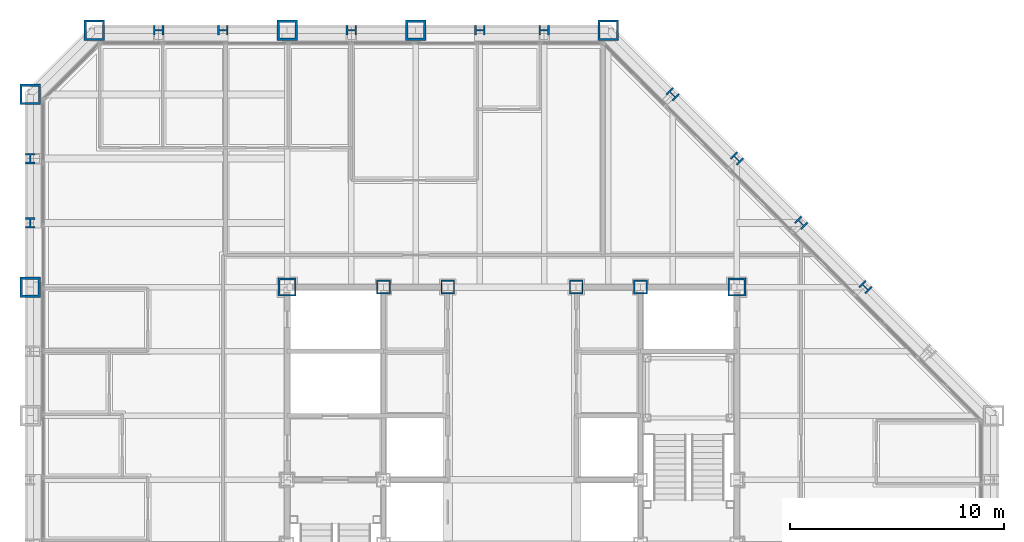
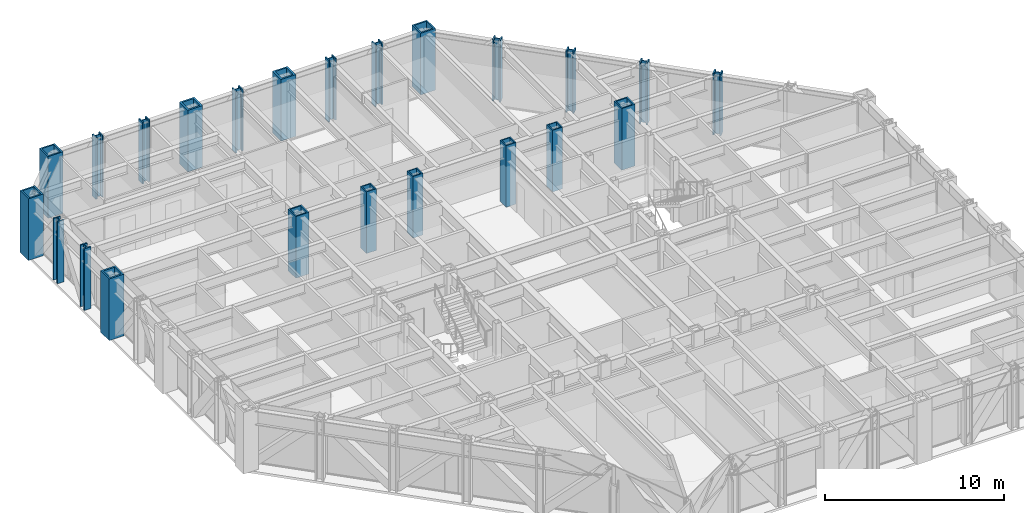
# One storey, part 3 of 16: 23 columns.
"""IFC4 building model written with IfcOpenShell, lengths in metres."""

from ifc_helpers import new_model, si_unit, direction, frame, origin, origin_2d, place, context, subcontext, project, spatial, hollow_rectangle, i_section, extrude, material, material_profile, profile_set, type_object, element, save


model = new_model("IFC4")

# Units and contexts
model_context = context("Model", 3, precision=1e-05, world=origin(), true_north=direction((0.0, 1.0)))
body_context = subcontext(model_context, "Body", "Model", "MODEL_VIEW")
ifc_project = project(units=[si_unit("LENGTHUNIT", "METRE"), si_unit("AREAUNIT", "SQUARE_METRE"), si_unit("VOLUMEUNIT", "CUBIC_METRE"), si_unit("PLANEANGLEUNIT", "RADIAN"), si_unit("MASSUNIT", "GRAM", prefix="KILO")], contexts=[model_context])

# Site, building, storey
site_placement = place(None, origin())
site = spatial("IfcSite", under=ifc_project, at=site_placement, CompositionType="ELEMENT")
building_placement = place(site_placement, origin())
building = spatial("IfcBuilding", under=site, at=building_placement, Name="Chuquiago Exchange Tower", CompositionType="ELEMENT")
storey_placement = place(building_placement, frame((0.0, 0.0, 144.60009765625)))
storey = spatial("IfcBuildingStorey", under=building, at=storey_placement, Name="L31", CompositionType="ELEMENT", Elevation=144.60009765625)

# Columns
ifc_material_1 = material(Name="Steel ASTM A992", Category="steel")
ifc_material_profile_1 = material_profile(ifc_material_1, i_section(OverallWidth=0.431884765625, OverallDepth=0.497802734375, WebThickness=0.0556640625, FlangeThickness=0.0888671875, at=origin_2d()), Name="W14X500")
ifc_profile_set_1 = profile_set([ifc_material_profile_1], Name="Steel ASTM A992")
column_type_1 = type_object("IfcColumnType", Name="C7 W14X500", PredefinedType="COLUMN", material=ifc_profile_set_1)
for number, where, z_axis, x_axis, name in (
    (1, (24.0, 45.0, 0.0), (0.0, 0.0, 1.0), (0.0, 1.0, 0.0), "COL-L31-24_45"),
    (2, (21.0, 45.0, 0.0), (0.0, 0.0, 1.0), (0.0, 1.0, 0.0), "COL-L31-21_45"),
    (3, (15.0, 45.0, 0.0), (0.0, 0.0, 1.0), (0.0, 1.0, 0.0), "COL-L31-15_45"),
    (4, (9.0, 45.0, 0.0), (0.0, 0.0, 1.0), (0.0, 1.0, 0.0), "COL-L31-9_45"),
    (5, (6.0, 45.0, 0.0), (0.0, 0.0, 1.0), (0.0, 1.0, 0.0), "COL-L31-6_45"),
    (6, (0.0, 39.0, 0.0), (0.0, 0.0, 1.0), (-1.0, 0.0, 0.0), "COL-L31-0_39"),
    (7, (0.0, 36.0, 0.0), (0.0, 0.0, 1.0), (-1.0, 0.0, 0.0), "COL-L31-0_36"),
):
    element("IfcColumn", number, at=place(storey_placement, frame(where, z_axis=z_axis, x_axis=x_axis)), inside=storey, type_object=column_type_1, Name=name, PredefinedType="COLUMN", context=body_context, shape_type="SweptSolid", body=[
        extrude(i_section(OverallWidth=0.431884765625, OverallDepth=0.497802734375, WebThickness=0.0556640625, FlangeThickness=0.0888671875, at=origin_2d()), origin(), (0.0, 0.0, 1.0), 4.199951171875),
    ])
ifc_material_2 = material(Name="Steel ASTM A572 Grade 50", Category="steel")
ifc_material_profile_2 = material_profile(ifc_material_2, hollow_rectangle(XDim=0.85009765625, YDim=0.85009765625, WallThickness=0.0849609375, at=origin_2d()), Name="BOX850X850X85")
ifc_profile_set_2 = profile_set([ifc_material_profile_2], Name="Steel ASTM A572 Grade 50")
column_type_2 = type_object("IfcColumnType", Name="CC6 BOX850X850X85", PredefinedType="COLUMN", material=ifc_profile_set_2)
for number, where, z_axis, x_axis, name in (
    (8, (12.0, 33.0, 0.0), (0.0, 0.0, 1.0), (1.0, 0.0, 0.0), "CCOL-L31-12_33"),
    (9, (33.0, 33.0, 0.0), (0.0, 0.0, 1.0), (1.0, 0.0, 0.0), "CCOL-L31-33_33"),
):
    element("IfcColumn", number, at=place(storey_placement, frame(where, z_axis=z_axis, x_axis=x_axis)), inside=storey, type_object=column_type_2, Name=name, PredefinedType="COLUMN", context=body_context, shape_type="SweptSolid", body=[
        extrude(hollow_rectangle(XDim=0.85009765625, YDim=0.85009765625, WallThickness=0.0849609375, at=origin_2d()), origin(), (0.0, 0.0, 1.0), 4.199951171875),
    ])
ifc_material_3 = material(Name="Steel ASTM A572 Grade 50", Category="steel")
ifc_material_profile_3 = material_profile(ifc_material_3, hollow_rectangle(XDim=0.64990234375, YDim=0.64990234375, WallThickness=0.06494140625, at=origin_2d()), Name="BOX650X650X65")
ifc_profile_set_3 = profile_set([ifc_material_profile_3], Name="Steel ASTM A572 Grade 50")
column_type_3 = type_object("IfcColumnType", Name="CC7 BOX650X650X65", PredefinedType="COLUMN", material=ifc_profile_set_3)
for number, where, z_axis, x_axis, name in (
    (10, (16.5, 33.0, 0.0), (0.0, 0.0, 1.0), (1.0, 0.0, 0.0), "CCOL-L31-16.5_33"),
    (11, (19.5, 33.0, 0.0), (0.0, 0.0, 1.0), (1.0, 0.0, 0.0), "CCOL-L31-19.5_33"),
    (12, (25.5, 33.0, 0.0), (0.0, 0.0, 1.0), (1.0, 0.0, 0.0), "CCOL-L31-25.5_33"),
    (13, (28.5, 33.0, 0.0), (0.0, 0.0, 1.0), (1.0, 0.0, 0.0), "CCOL-L31-28.5_33"),
):
    element("IfcColumn", number, at=place(storey_placement, frame(where, z_axis=z_axis, x_axis=x_axis)), inside=storey, type_object=column_type_3, Name=name, PredefinedType="COLUMN", context=body_context, shape_type="SweptSolid", body=[
        extrude(hollow_rectangle(XDim=0.64990234375, YDim=0.64990234375, WallThickness=0.06494140625, at=origin_2d()), origin(), (0.0, 0.0, 1.0), 4.199951171875),
    ])
ifc_material_4 = material(Name="Steel ASTM A992", Category="steel")
ifc_material_profile_4 = material_profile(ifc_material_4, i_section(OverallWidth=0.4267578125, OverallDepth=0.482666015625, WebThickness=0.05126953125, FlangeThickness=0.08154296875, at=origin_2d()), Name="W14X455")
ifc_profile_set_4 = profile_set([ifc_material_profile_4], Name="Steel ASTM A992")
column_type_4 = type_object("IfcColumnType", Name="CK6 W14X455", PredefinedType="COLUMN", material=ifc_profile_set_4)
for number, where, z_axis, x_axis, name in (
    (14, (39.0, 33.0, 0.0), (0.0, 0.0, 1.0), (0.707106781187, 0.707106781187, 0.0), "COL-L31-39_33"),
    (15, (36.0, 36.0, 0.0), (0.0, 0.0, 1.0), (0.707106781187, 0.707106781187, 0.0), "COL-L31-36_36"),
    (16, (33.0, 39.0, 0.0), (0.0, 0.0, 1.0), (0.707106781187, 0.707106781187, 0.0), "COL-L31-33_39"),
    (17, (30.0, 42.0, 0.0), (0.0, 0.0, 1.0), (0.707106781187, 0.707106781187, 0.0), "COL-L31-30_42"),
):
    element("IfcColumn", number, at=place(storey_placement, frame(where, z_axis=z_axis, x_axis=x_axis)), inside=storey, type_object=column_type_4, Name=name, PredefinedType="COLUMN", context=body_context, shape_type="SweptSolid", body=[
        extrude(i_section(OverallWidth=0.4267578125, OverallDepth=0.482666015625, WebThickness=0.05126953125, FlangeThickness=0.08154296875, at=origin_2d()), origin(), (0.0, 0.0, 1.0), 4.199951171875),
    ])
ifc_material_5 = material(Name="Steel ASTM A572 Grade 50", Category="steel")
ifc_material_profile_5 = material_profile(ifc_material_5, hollow_rectangle(XDim=0.949951171875, YDim=0.949951171875, WallThickness=0.094970703125, at=origin_2d()), Name="BOX950X950X95")
ifc_profile_set_5 = profile_set([ifc_material_profile_5], Name="Steel ASTM A572 Grade 50")
column_type_5 = type_object("IfcColumnType", Name="CN1 BOX950X950X95", PredefinedType="COLUMN", material=ifc_profile_set_5)
for number, where, z_axis, x_axis, name in (
    (18, (27.0, 45.0, 0.0), (0.0, 0.0, 1.0), (0.0, 1.0, 0.0), "COL-L31-27_45"),
    (19, (3.0, 45.0, 0.0), (0.0, 0.0, 1.0), (0.0, 1.0, 0.0), "COL-L31-3_45"),
    (20, (0.0, 42.0, 0.0), (0.0, 0.0, 1.0), (-1.0, 0.0, 0.0), "COL-L31-0_42"),
):
    element("IfcColumn", number, at=place(storey_placement, frame(where, z_axis=z_axis, x_axis=x_axis)), inside=storey, type_object=column_type_5, Name=name, PredefinedType="COLUMN", context=body_context, shape_type="SweptSolid", body=[
        extrude(hollow_rectangle(XDim=0.949951171875, YDim=0.949951171875, WallThickness=0.094970703125, at=origin_2d()), origin(), (0.0, 0.0, 1.0), 4.199951171875),
    ])
ifc_material_6 = material(Name="Steel ASTM A572 Grade 42", Category="steel")
ifc_material_profile_6 = material_profile(ifc_material_6, hollow_rectangle(XDim=0.949951171875, YDim=0.949951171875, WallThickness=0.110107421875, at=origin_2d()), Name="BOX950X950X110")
ifc_profile_set_6 = profile_set([ifc_material_profile_6], Name="Steel ASTM A572 Grade 42")
column_type_6 = type_object("IfcColumnType", Name="CT1 BOX950X950X110", PredefinedType="COLUMN", material=ifc_profile_set_6)
for number, where, z_axis, x_axis, name in (
    (21, (18.0, 45.0, 0.0), (0.0, 0.0, 1.0), (0.0, 1.0, 0.0), "COL-L31-18_45"),
    (22, (12.0, 45.0, 0.0), (0.0, 0.0, 1.0), (0.0, 1.0, 0.0), "COL-L31-12_45"),
    (23, (0.0, 33.0, 0.0), (0.0, 0.0, 1.0), (-1.0, 0.0, 0.0), "COL-L31-0_33"),
):
    element("IfcColumn", number, at=place(storey_placement, frame(where, z_axis=z_axis, x_axis=x_axis)), inside=storey, type_object=column_type_6, Name=name, PredefinedType="COLUMN", context=body_context, shape_type="SweptSolid", body=[
        extrude(hollow_rectangle(XDim=0.949951171875, YDim=0.949951171875, WallThickness=0.110107421875, at=origin_2d()), origin(), (0.0, 0.0, 1.0), 4.199951171875),
    ])

save(model, "model.ifc")
